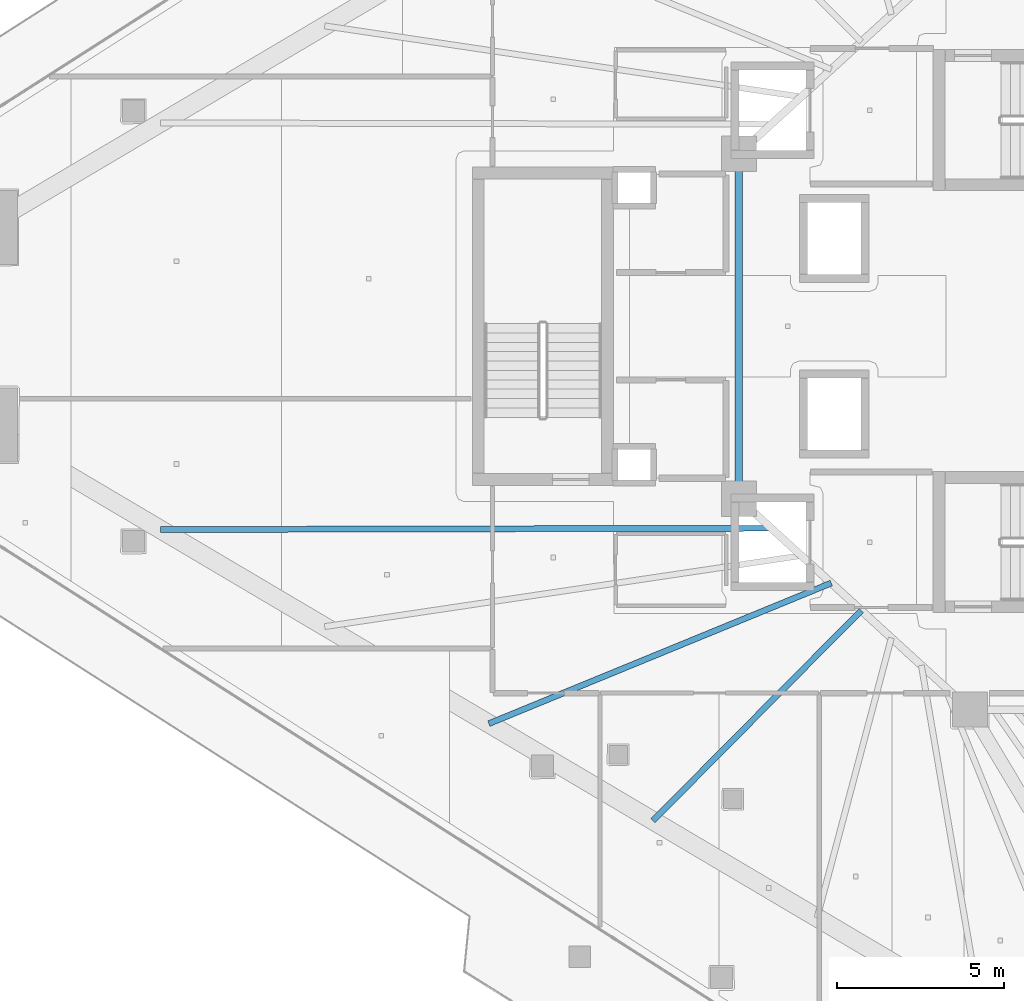
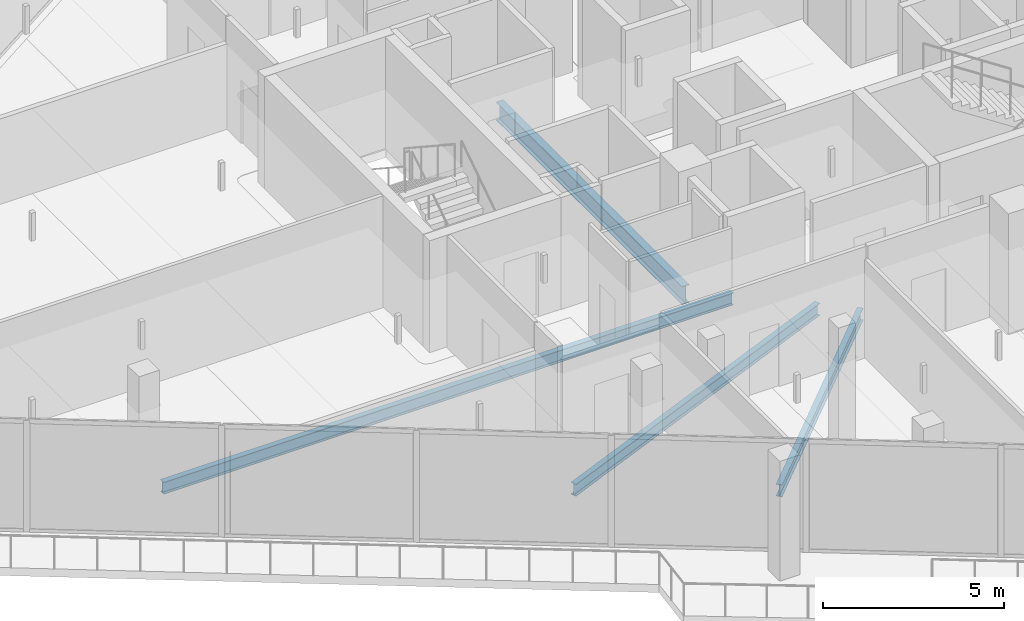
# One storey, part 7 of 39: 4 beams.
"""IFC4 building model written with IfcOpenShell, lengths in metres."""

import ifcopenshell
import ifcopenshell.guid

model = None  # the IFC model being written
_history = None  # IfcOwnerHistory: only IFC2X3 demands one
_inside = {}  # id of a spatial element -> (the spatial element, [elements in it])
_under = {}  # id of a project, library or spatial element -> (it, [spatial elements below it])
_declared = {}  # id of a project -> (the project, [libraries it declares])
_typed = {}  # id of a type object -> (the type object, [elements of that type])
_made_of = {}  # id of a material, layer set ... -> (it, [elements and type objects made of it])


def new_model(schema):
    """Start an empty IFC model of exactly this schema.

    Asked for "IFC4X3", IfcOpenShell would pick the latest addendum, in which some entities
    have other attributes; the version numbers below select the first issue.
    IFC2X3 requires an IfcOwnerHistory on every rooted entity: one is made here for all.
    """
    global model, _history
    if schema == "IFC4X3":
        model = ifcopenshell.file(schema_version=(4, 3, 0, 0))
    else:
        model = ifcopenshell.file(schema=schema)
    _inside.clear()
    _under.clear()
    _declared.clear()
    _typed.clear()
    _made_of.clear()
    _history = None
    if model.schema == "IFC2X3":
        org = make("IfcOrganization", Name="unknown")
        user = make(
            "IfcPersonAndOrganization",
            ThePerson=make("IfcPerson", FamilyName="unknown"),
            TheOrganization=org,
        )
        app = make(
            "IfcApplication",
            ApplicationDeveloper=org,
            Version="unknown",
            ApplicationFullName="unknown",
            ApplicationIdentifier="unknown",
        )
        _history = make(
            "IfcOwnerHistory",
            OwningUser=user,
            OwningApplication=app,
            ChangeAction="ADDED",
            CreationDate=0,
        )
    return model


def make(cls, **values):
    """One entity of the class cls with the attributes given. An attribute that is None is left unset."""
    return model.create_entity(
        cls, **{name: value for name, value in values.items() if value is not None}
    )


def rooted(cls, **values):
    """An entity with a GlobalId (a new one), such as an element, a storey or a relation."""
    return make(cls, GlobalId=ifcopenshell.guid.new(), OwnerHistory=_history, **values)


def si_unit(unit_type, name, prefix=None):
    """IfcSIUnit, for example si_unit("LENGTHUNIT", "METRE", prefix="MILLI")."""
    return make("IfcSIUnit", UnitType=unit_type, Prefix=prefix, Name=name)


def assignment(units):
    """IfcUnitAssignment: the units of a project."""
    return None if units is None else make("IfcUnitAssignment", Units=units)


def point(xyz):
    """IfcCartesianPoint."""
    return None if xyz is None else make("IfcCartesianPoint", Coordinates=xyz)


def direction(xyz):
    """IfcDirection."""
    return None if xyz is None else make("IfcDirection", DirectionRatios=xyz)


def frame(location, z_axis=None, x_axis=None):
    """IfcAxis2Placement3D, a coordinate frame: its origin and axes. An axis left out is left unset."""
    return make(
        "IfcAxis2Placement3D",
        Location=point(location),
        Axis=direction(z_axis),
        RefDirection=direction(x_axis),
    )


def frame_2d(location, x_axis=None):
    """IfcAxis2Placement2D, a coordinate frame in the plane: its origin and x axis."""
    return make(
        "IfcAxis2Placement2D", Location=point(location), RefDirection=direction(x_axis)
    )


def origin():
    """The frame at (0, 0, 0) with its axes left unset."""
    return frame((0.0, 0.0, 0.0))


def origin_2d():
    """The frame at (0, 0) in the plane with its x axis left unset."""
    return frame_2d((0.0, 0.0))


def place(relative_to, where):
    """IfcLocalPlacement: puts the frame where relative to a parent placement (None: the world)."""
    return make(
        "IfcLocalPlacement", PlacementRelTo=relative_to, RelativePlacement=where
    )


def context(
    kind, dimensions, precision=None, world=None, true_north=None, identifier=None
):
    """IfcGeometricRepresentationContext, for example the 3D "Model" context."""
    return make(
        "IfcGeometricRepresentationContext",
        ContextIdentifier=identifier,
        ContextType=kind,
        CoordinateSpaceDimension=dimensions,
        Precision=precision,
        WorldCoordinateSystem=world,
        TrueNorth=true_north,
    )


def subcontext(parent, identifier, kind, view, scale=None):
    """IfcGeometricRepresentationSubContext, for example "Body" below "Model"."""
    return make(
        "IfcGeometricRepresentationSubContext",
        ContextIdentifier=identifier,
        ContextType=kind,
        ParentContext=parent,
        TargetScale=scale,
        TargetView=view,
    )


def project(units=None, contexts=None):
    """IfcProject with its units and contexts."""
    return rooted(
        "IfcProject",
        Name="project",
        RepresentationContexts=contexts,
        UnitsInContext=assignment(units),
    )


def spatial(cls, under=None, at=None, **own):
    """A site, building, storey or space (cls), placed at a placement, below another one or the project."""
    s = rooted(cls, ObjectPlacement=at, **own)
    if under is not None:
        _under.setdefault(under.id(), (under, []))[1].append(s)
    return s


def profile(cls, at=None, kind="AREA", **sizes):
    """A parametric profile (cls). Its sizes go by their IFC names, for example OverallWidth=200.0."""
    return make(cls, ProfileType=kind, Position=at, **sizes)


def i_section(**sizes):
    """IfcIShapeProfileDef."""
    return profile("IfcIShapeProfileDef", **sizes)


def extrude(swept, where, along, depth):
    """IfcExtrudedAreaSolid: the profile swept, set in the frame where, extruded along a direction by depth."""
    return make(
        "IfcExtrudedAreaSolid",
        SweptArea=swept,
        Position=where,
        ExtrudedDirection=direction(along),
        Depth=depth,
    )


def shape(context_of_items, identifier, shape_type, items):
    """IfcShapeRepresentation: the items that make up one representation, for example the "Body"."""
    return make(
        "IfcShapeRepresentation",
        ContextOfItems=context_of_items,
        RepresentationIdentifier=identifier,
        RepresentationType=shape_type,
        Items=items,
    )


def material(Name=None, Category=None):
    """IfcMaterial."""
    return make("IfcMaterial", Name=Name, Category=Category)


def material_profile(
    of_material, cross_section, Name=None, Category=None, Priority=None
):
    """IfcMaterialProfile: a cross section and its material."""
    return make(
        "IfcMaterialProfile",
        Name=Name,
        Material=of_material,
        Profile=cross_section,
        Priority=Priority,
        Category=Category,
    )


def profile_set(profiles, Name=None, composite=None):
    """IfcMaterialProfileSet."""
    return make(
        "IfcMaterialProfileSet",
        Name=Name,
        MaterialProfiles=profiles,
        CompositeProfile=composite,
    )


def made_of(thing, what):
    """Note that an element or type object is made of a material, layer set ...; save() writes the relation."""
    if what is not None:
        _made_of.setdefault(what.id(), (what, []))[1].append(thing)
    return thing


def type_object(cls, material=None, **own):
    """A type object (cls), such as IfcWallType, which elements share."""
    return made_of(rooted(cls, **own), material)


def element(
    cls,
    number,
    at=None,
    inside=None,
    cuts=None,
    type_object=None,
    material=None,
    context=None,
    identifier="Body",
    shape_type=None,
    held_by="IfcProductDefinitionShape",
    body=None,
    shapes=None,
    **own,
):
    """One element of the class cls, such as IfcWall. Its Tag is "e" and its number.

    at: its placement. inside: the storey or other place that contains it. cuts: it is an
    opening in that element (IfcRelVoidsElement). A single representation is given by context,
    identifier, shape_type and body (its items); several are given by shapes. held_by: the class
    of the entity that holds the representations. save() writes the other relations.
    """
    e = rooted(cls, Tag="e%d" % number, ObjectPlacement=at, **own)
    if body is not None:
        shapes = [shape(context, identifier, shape_type, body)]
    if shapes is not None:
        e.Representation = make(held_by, Representations=shapes)
    if inside is not None:
        _inside.setdefault(inside.id(), (inside, []))[1].append(e)
    if cuts is not None:
        rooted(
            "IfcRelVoidsElement", RelatingBuildingElement=cuts, RelatedOpeningElement=e
        )
    if type_object is not None:
        _typed.setdefault(type_object.id(), (type_object, []))[1].append(e)
    return made_of(e, material)


def aggregate(whole, parts):
    """IfcRelAggregates: a whole, such as a stair, and the parts it consists of."""
    return rooted("IfcRelAggregates", RelatingObject=whole, RelatedObjects=parts)


def save(model, path):
    """Write the relations noted so far, then the file.

    IfcRelAggregates (storeys below a building ...), IfcRelContainedInSpatialStructure (elements
    in a storey), IfcRelDefinesByType, IfcRelAssociatesMaterial and IfcRelDeclares: one each for
    every whole, place, type object, material and project.
    """
    for whole, parts in _under.values():
        aggregate(whole, parts)
    for where, things in _inside.values():
        rooted(
            "IfcRelContainedInSpatialStructure",
            RelatedElements=things,
            RelatingStructure=where,
        )
    for kind, things in _typed.values():
        rooted("IfcRelDefinesByType", RelatedObjects=things, RelatingType=kind)
    for what, things in _made_of.values():
        rooted("IfcRelAssociatesMaterial", RelatedObjects=things, RelatingMaterial=what)
    for by, libraries in _declared.values():
        rooted("IfcRelDeclares", RelatingContext=by, RelatedDefinitions=libraries)
    model.write(path)


model = new_model("IFC4")

# Units and contexts
model_context = context("Model", 3, precision=1e-05, world=origin(), true_north=direction((0.0, 1.0)))
body_context = subcontext(model_context, "Body", "Model", "MODEL_VIEW")
ifc_project = project(units=[si_unit("LENGTHUNIT", "METRE"), si_unit("AREAUNIT", "SQUARE_METRE"), si_unit("VOLUMEUNIT", "CUBIC_METRE"), si_unit("PLANEANGLEUNIT", "RADIAN"), si_unit("MASSUNIT", "GRAM", prefix="KILO")], contexts=[model_context])

# Site, building, storey
site_placement = place(None, origin())
site = spatial("IfcSite", under=ifc_project, at=site_placement, CompositionType="ELEMENT")
building_placement = place(site_placement, origin())
building = spatial("IfcBuilding", under=site, at=building_placement, Name="Qorvath Tower", CompositionType="ELEMENT")
storey_placement = place(building_placement, frame((0.0, 0.0, 142.199951171875)))
storey = spatial("IfcBuildingStorey", under=building, at=storey_placement, Name="L32", CompositionType="ELEMENT", Elevation=142.199951171875)

# Beams
ifc_material_1 = material(Name="Steel ASTM A992 Grade 50", Category="steel")
ifc_material_profile_1 = material_profile(ifc_material_1, i_section(OverallWidth=0.22998046875, OverallDepth=0.616943359375, WebThickness=0.01318359375, FlangeThickness=0.022216796875, FilletRadius=0.014892578125, at=origin_2d()), Name="W24x94")
ifc_profile_set_1 = profile_set([ifc_material_profile_1], Name="Steel ASTM A992 Grade 50")
beam_type_1 = type_object("IfcBeamType", Name="BM-FG6", PredefinedType="BEAM", material=ifc_profile_set_1)
beam_1_placement = place(storey_placement, frame((-30.5, -5.14990234375, -0.57861328125), z_axis=(0.0, 1.0, 0.0), x_axis=(-1.0, 0.0, 0.0)))
element("IfcBeam", 1, at=beam_1_placement, inside=storey, type_object=beam_type_1, Name="Core Ring Girder CC6-CC5 L32", PredefinedType="BEAM", context=body_context, shape_type="SweptSolid", body=[
    extrude(i_section(OverallWidth=0.22998046875, OverallDepth=0.616943359375, WebThickness=0.01318359375, FlangeThickness=0.022216796875, FilletRadius=0.014892578125, at=origin_2d()), origin(), (0.0, 0.0, 1.0), 10.2998046875),
])
ifc_material_2 = material(Name="Steel ASTM A992 Grade 50", Category="steel")
ifc_material_profile_2 = material_profile(ifc_material_2, i_section(OverallWidth=0.177978515625, OverallDepth=0.406005859375, WebThickness=0.0078125, FlangeThickness=0.0126953125, FilletRadius=0.010986328125, at=origin_2d()), Name="W16x40")
ifc_profile_set_2 = profile_set([ifc_material_profile_2], Name="Steel ASTM A992 Grade 50")
beam_type_2 = type_object("IfcBeamType", Name="BM-FJ3", PredefinedType="JOIST", material=ifc_profile_set_2)
beam_2_placement = place(storey_placement, frame((-29.533935546875, -6.031982421875, -0.47314453125), z_axis=(-0.999997589883, -0.002195501951, 0.0), x_axis=(0.002195501951, -0.999997589883, 0.0)))
element("IfcBeam", 2, at=beam_2_placement, inside=storey, type_object=beam_type_2, Name="Composite Floor Joist SW1 L32", PredefinedType="JOIST", context=body_context, shape_type="SweptSolid", body=[
    extrude(i_section(OverallWidth=0.177978515625, OverallDepth=0.406005859375, WebThickness=0.0078125, FlangeThickness=0.0126953125, FilletRadius=0.010986328125, at=origin_2d()), origin(), (0.0, 0.0, 1.0), 18.23681640625),
])
beam_3_placement = place(storey_placement, frame((-27.739990234375, -7.669921875, -0.47314453125), z_axis=(-0.925068176006, -0.379801092338, 0.0), x_axis=(0.379801092338, -0.925068176006, 0.0)))
element("IfcBeam", 3, at=beam_3_placement, inside=storey, type_object=beam_type_2, Name="Composite Floor Joist SW3 L32", PredefinedType="JOIST", context=body_context, shape_type="SweptSolid", body=[
    extrude(i_section(OverallWidth=0.177978515625, OverallDepth=0.406005859375, WebThickness=0.0078125, FlangeThickness=0.0126953125, FilletRadius=0.010986328125, at=origin_2d()), origin(), (0.0, 0.0, 1.0), 11.0556640625),
])
beam_4_placement = place(storey_placement, frame((-26.843017578125, -8.489013671875, -0.47314453125), z_axis=(-0.70395121362, -0.710248328997, 0.0), x_axis=(0.710248328997, -0.70395121362, 0.0)))
element("IfcBeam", 4, at=beam_4_placement, inside=storey, type_object=beam_type_2, Name="Composite Floor Joist SW4 L32", PredefinedType="JOIST", context=body_context, shape_type="SweptSolid", body=[
    extrude(i_section(OverallWidth=0.177978515625, OverallDepth=0.406005859375, WebThickness=0.0078125, FlangeThickness=0.0126953125, FilletRadius=0.010986328125, at=origin_2d()), origin(), (0.0, 0.0, 1.0), 8.839599609375),
])

save(model, "model.ifc")
